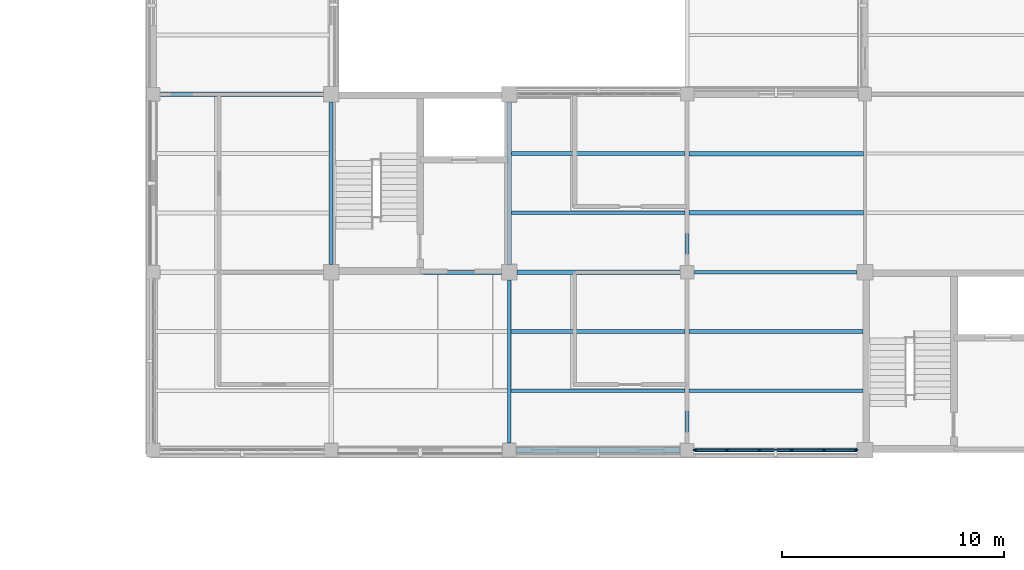
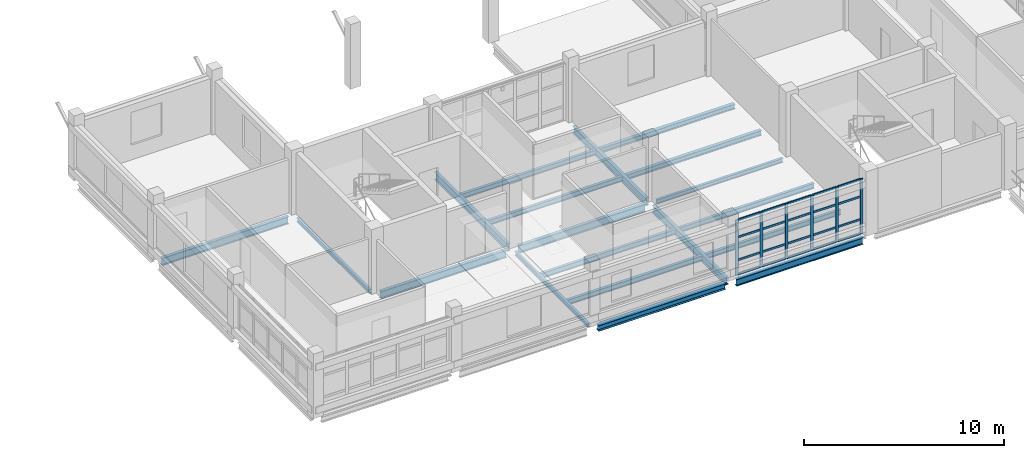
# One storey, part 11 of 35: 26 members, 19 beams, 1 element without a shape of its own.
"""IFC4 building model written with IfcOpenShell, lengths in metres."""

from ifc_helpers import new_model, si_unit, derived_unit, direction, frame, origin, origin_2d, place, context, subcontext, project, spatial, rectangle, i_section, extrude, material, layer, layer_set, material_profile, profile_set, type_object, element, aggregate, save


model = new_model("IFC4")

# Units and contexts
model_context = context("Model", 3, precision=1e-05, world=origin(), true_north=direction((0.0, 1.0)))
body_context = subcontext(model_context, "Body", "Model", "MODEL_VIEW")
ifc_project = project(units=[si_unit("LENGTHUNIT", "METRE"), si_unit("AREAUNIT", "SQUARE_METRE"), si_unit("VOLUMEUNIT", "CUBIC_METRE"), si_unit("PLANEANGLEUNIT", "RADIAN"), si_unit("MASSUNIT", "GRAM", prefix="KILO"), derived_unit("THERMALTRANSMITTANCEUNIT", [(si_unit("MASSUNIT", "GRAM", prefix="KILO"), 1), (si_unit("TIMEUNIT", "SECOND"), -3), (si_unit("THERMODYNAMICTEMPERATUREUNIT", "KELVIN"), -1)])], contexts=[model_context])

# Site, building, storey
site_placement = place(None, origin())
site = spatial("IfcSite", under=ifc_project, at=site_placement, CompositionType="ELEMENT")
building_placement = place(site_placement, origin())
building = spatial("IfcBuilding", under=site, at=building_placement, Name="Veyamyaing Civic Hall", CompositionType="ELEMENT")
storey_placement = place(building_placement, frame((0.0, 0.0, 21.780029296875)))
storey = spatial("IfcBuildingStorey", under=building, at=storey_placement, Name="L05", CompositionType="ELEMENT", Elevation=21.780029296875)

# Beams
ifc_material_1 = material(Name="Steel ASTM A992", Category="steel")
ifc_material_profile_1 = material_profile(ifc_material_1, i_section(OverallWidth=0.19189453125, OverallDepth=0.462890625, WebThickness=0.010498046875, FlangeThickness=0.017578125, FilletRadius=0.010009765625, at=origin_2d()), Name="W460X89")
ifc_profile_set_1 = profile_set([ifc_material_profile_1], Name="Steel ASTM A992")
beam_type_1 = type_object("IfcBeamType", Name="B-08", PredefinedType="BEAM", material=ifc_profile_set_1)
beam_1_placement = place(storey_placement, frame((144.0, 96.35009765625, -0.45654296875), z_axis=(0.0, 1.0, 0.0), x_axis=(-1.0, 0.0, 0.0)))
element("IfcBeam", 1, at=beam_1_placement, inside=storey, type_object=beam_type_1, Name="Girder B-08 L05 Grid 19 N-P", PredefinedType="BEAM", context=body_context, shape_type="SweptSolid", body=[
    extrude(i_section(OverallWidth=0.19189453125, OverallDepth=0.462890625, WebThickness=0.010498046875, FlangeThickness=0.017578125, FilletRadius=0.010009765625, at=origin_2d()), origin(), (0.0, 0.0, 1.0), 7.2998046875),
])
beam_2_placement = place(storey_placement, frame((152.0, 88.324951171875, -0.45654296875), z_axis=(0.0, 1.0, 0.0), x_axis=(-1.0, 0.0, 0.0)))
element("IfcBeam", 2, at=beam_2_placement, inside=storey, type_object=beam_type_1, Name="Girder B-08 L05 Grid 20 M-N", PredefinedType="BEAM", context=body_context, shape_type="SweptSolid", body=[
    extrude(i_section(OverallWidth=0.19189453125, OverallDepth=0.462890625, WebThickness=0.010498046875, FlangeThickness=0.017578125, FilletRadius=0.010009765625, at=origin_2d()), origin(), (0.0, 0.0, 1.0), 7.35009765625),
])
ifc_material_profile_2 = material_profile(ifc_material_1, i_section(OverallWidth=0.18994140625, OverallDepth=0.45703125, WebThickness=0.009033203125, FlangeThickness=0.014404296875, FilletRadius=0.010009765625, at=origin_2d()), Name="W460X74")
ifc_profile_set_2 = profile_set([ifc_material_profile_2], Name="Steel ASTM A992")
beam_type_2 = type_object("IfcBeamType", Name="B-09", PredefinedType="BEAM", material=ifc_profile_set_2)
beam_3_placement = place(storey_placement, frame((136.35009765625, 96.0, -0.45361328125), z_axis=(1.0, 0.0, 0.0), x_axis=(0.0, 1.0, 0.0)))
element("IfcBeam", 3, at=beam_3_placement, inside=storey, type_object=beam_type_2, Name="Girder B-09 L05 Grid N 18-19", PredefinedType="BEAM", context=body_context, shape_type="SweptSolid", body=[
    extrude(i_section(OverallWidth=0.18994140625, OverallDepth=0.45703125, WebThickness=0.009033203125, FlangeThickness=0.014404296875, FilletRadius=0.010009765625, at=origin_2d()), origin(), (0.0, 0.0, 1.0), 7.2998046875),
])
beam_4_placement = place(storey_placement, frame((128.324951171875, 104.0, -0.45361328125), z_axis=(1.0, 0.0, 0.0), x_axis=(0.0, 1.0, 0.0)))
element("IfcBeam", 4, at=beam_4_placement, inside=storey, type_object=beam_type_2, Name="Girder B-09 L05 Grid P 17-18", PredefinedType="BEAM", context=body_context, shape_type="SweptSolid", body=[
    extrude(i_section(OverallWidth=0.18994140625, OverallDepth=0.45703125, WebThickness=0.009033203125, FlangeThickness=0.014404296875, FilletRadius=0.010009765625, at=origin_2d()), origin(), (0.0, 0.0, 1.0), 7.324951171875),
])
beam_5_placement = place(storey_placement, frame((152.0, 96.324951171875, -0.45361328125), z_axis=(0.0, 1.0, 0.0), x_axis=(-1.0, 0.0, 0.0)))
element("IfcBeam", 5, at=beam_5_placement, inside=storey, type_object=beam_type_2, Name="Girder B-09 L05 Grid 20 N-P", PredefinedType="BEAM", context=body_context, shape_type="SweptSolid", body=[
    extrude(i_section(OverallWidth=0.18994140625, OverallDepth=0.45703125, WebThickness=0.009033203125, FlangeThickness=0.014404296875, FilletRadius=0.010009765625, at=origin_2d()), origin(), (0.0, 0.0, 1.0), 7.35009765625),
])
ifc_material_profile_3 = material_profile(ifc_material_1, i_section(OverallWidth=0.179931640625, OverallDepth=0.4130859375, WebThickness=0.009765625, FlangeThickness=0.01611328125, FilletRadius=0.010009765625, at=origin_2d()), Name="W410X74")
ifc_profile_set_3 = profile_set([ifc_material_profile_3], Name="Steel ASTM A992")
beam_type_3 = type_object("IfcBeamType", Name="B-10", PredefinedType="SPANDREL", material=ifc_profile_set_3)
beam_6_placement = place(storey_placement, frame((152.324951171875, 88.0, -0.431640625), z_axis=(1.0, 0.0, 0.0), x_axis=(0.0, 1.0, 0.0)))
element("IfcBeam", 6, at=beam_6_placement, inside=storey, type_object=beam_type_3, Name="Girder B-10 L05 Grid M 20-21", PredefinedType="SPANDREL", context=body_context, shape_type="SweptSolid", body=[
    extrude(i_section(OverallWidth=0.179931640625, OverallDepth=0.4130859375, WebThickness=0.009765625, FlangeThickness=0.01611328125, FilletRadius=0.010009765625, at=origin_2d()), origin(), (0.0, 0.0, 1.0), 7.324951171875),
])
ifc_material_profile_4 = material_profile(ifc_material_1, i_section(OverallWidth=0.14599609375, OverallDepth=0.258056640625, WebThickness=0.006103515625, FlangeThickness=0.009033203125, FilletRadius=0.010009765625, at=origin_2d()), Name="W250X33")
ifc_profile_set_4 = profile_set([ifc_material_profile_4], Name="Steel ASTM A992")
beam_type_4 = type_object("IfcBeamType", Name="B-12", PredefinedType="BEAM", material=ifc_profile_set_4)
beam_7_placement = place(storey_placement, frame((152.324951171875, 96.0, -0.35400390625), z_axis=(1.0, 0.0, 0.0), x_axis=(0.0, 1.0, 0.0)))
element("IfcBeam", 7, at=beam_7_placement, inside=storey, type_object=beam_type_4, Name="Girder B-12 L05 Grid N 20-21", PredefinedType="BEAM", context=body_context, shape_type="SweptSolid", body=[
    extrude(i_section(OverallWidth=0.14599609375, OverallDepth=0.258056640625, WebThickness=0.006103515625, FlangeThickness=0.009033203125, FilletRadius=0.010009765625, at=origin_2d()), origin(), (0.0, 0.0, 1.0), 7.324951171875),
])
beam_8_placement = place(storey_placement, frame((136.0, 96.35009765625, -0.35400390625), z_axis=(0.0, 1.0, 0.0), x_axis=(-1.0, 0.0, 0.0)))
element("IfcBeam", 8, at=beam_8_placement, inside=storey, type_object=beam_type_4, Name="Girder B-12 L05 Grid 18 N-P", PredefinedType="BEAM", context=body_context, shape_type="SweptSolid", body=[
    extrude(i_section(OverallWidth=0.14599609375, OverallDepth=0.258056640625, WebThickness=0.006103515625, FlangeThickness=0.009033203125, FilletRadius=0.010009765625, at=origin_2d()), origin(), (0.0, 0.0, 1.0), 7.2998046875),
])
beam_9_placement = place(storey_placement, frame((144.0, 88.324951171875, -0.35400390625), z_axis=(0.0, 1.0, 0.0), x_axis=(-1.0, 0.0, 0.0)))
element("IfcBeam", 9, at=beam_9_placement, inside=storey, type_object=beam_type_4, Name="Girder B-12 L05 Grid 19 M-N", PredefinedType="BEAM", context=body_context, shape_type="SweptSolid", body=[
    extrude(i_section(OverallWidth=0.14599609375, OverallDepth=0.258056640625, WebThickness=0.006103515625, FlangeThickness=0.009033203125, FilletRadius=0.010009765625, at=origin_2d()), origin(), (0.0, 0.0, 1.0), 7.324951171875),
])
ifc_material_profile_5 = material_profile(ifc_material_1, i_section(OverallWidth=0.194091796875, OverallDepth=0.468994140625, WebThickness=0.0126953125, FlangeThickness=0.0205078125, FilletRadius=0.010009765625, at=origin_2d()), Name="W460X106")
ifc_profile_set_5 = profile_set([ifc_material_profile_5], Name="Steel ASTM A992")
beam_type_5 = type_object("IfcBeamType", Name="B-18", PredefinedType="BEAM", material=ifc_profile_set_5)
beam_10_placement = place(storey_placement, frame((144.35009765625, 96.0, -0.45947265625), z_axis=(1.0, 0.0, 0.0), x_axis=(0.0, 1.0, 0.0)))
element("IfcBeam", 10, at=beam_10_placement, inside=storey, type_object=beam_type_5, Name="Girder B-18 L05 Grid N 19-20", PredefinedType="BEAM", context=body_context, shape_type="SweptSolid", body=[
    extrude(i_section(OverallWidth=0.194091796875, OverallDepth=0.468994140625, WebThickness=0.0126953125, FlangeThickness=0.0205078125, FilletRadius=0.010009765625, at=origin_2d()), origin(), (0.0, 0.0, 1.0), 7.324951171875),
])
ifc_material_profile_6 = material_profile(ifc_material_1, i_section(OverallWidth=0.25390625, OverallDepth=0.35302734375, WebThickness=0.009521484375, FlangeThickness=0.016357421875, FilletRadius=0.011962890625, at=origin_2d()), Name="W360X91")
ifc_profile_set_6 = profile_set([ifc_material_profile_6], Name="Steel ASTM A992")
beam_type_6 = type_object("IfcBeamType", Name="B-20", PredefinedType="SPANDREL", material=ifc_profile_set_6)
beam_11_placement = place(storey_placement, frame((144.324951171875, 88.0, -0.401611328125), z_axis=(1.0, 0.0, 0.0), x_axis=(0.0, 1.0, 0.0)))
element("IfcBeam", 11, at=beam_11_placement, inside=storey, type_object=beam_type_6, Name="Girder B-20 L05 Grid M 19-20", PredefinedType="SPANDREL", context=body_context, shape_type="SweptSolid", body=[
    extrude(i_section(OverallWidth=0.25390625, OverallDepth=0.35302734375, WebThickness=0.009521484375, FlangeThickness=0.016357421875, FilletRadius=0.011962890625, at=origin_2d()), origin(), (0.0, 0.0, 1.0), 7.35009765625),
])

# Curtain wall, members
ifc_material_2 = material(Name="Anodised aluminium 6063-T6", Category="aluminium")
ifc_layer = layer(ifc_material_2, 0.159912109375, Name="Anodised aluminium 6063-T6")
ifc_layer_set = layer_set([ifc_layer], Name="Anodised aluminium 6063-T6")
curtain_wall_type = type_object("IfcCurtainWallType", Name="CW-09", PredefinedType="NOTDEFINED", material=ifc_layer_set)
curtain_wall_placement = place(storey_placement, origin())
curtain_wall = element("IfcCurtainWall", 12, at=curtain_wall_placement, inside=storey, type_object=curtain_wall_type, Name="Unitized curtain wall CW-09 L05 S 20.12", PredefinedType="NOTDEFINED")
ifc_material_profile_7 = material_profile(ifc_material_2, rectangle(XDim=0.06494140625, YDim=0.159912109375, at=origin_2d()), Name="ALU-MUL-65X160")
ifc_profile_set_7 = profile_set([ifc_material_profile_7], Name="Anodised aluminium 6063-T6")
member_type_1 = type_object("IfcMemberType", Name="CWM-01", PredefinedType="MULLION", material=ifc_profile_set_7)
member_1_placement = place(storey_placement, frame((152.362548828125, 88.0, 0.0), z_axis=(0.0, 0.0, 1.0), x_axis=(0.0, 1.0, 0.0)))
member_1 = element("IfcMember", 13, at=member_1_placement, type_object=member_type_1, Name="CW-09 mullion 1", PredefinedType="MULLION", context=body_context, shape_type="SweptSolid", body=[
    extrude(rectangle(XDim=0.06494140625, YDim=0.159912109375, at=origin_2d()), origin(), (0.0, 0.0, 1.0), 3.3720703125),
])
member_2_placement = place(storey_placement, frame((153.7880859375, 88.0, 0.0), z_axis=(0.0, 0.0, 1.0), x_axis=(0.0, 1.0, 0.0)))
member_2 = element("IfcMember", 14, at=member_2_placement, type_object=member_type_1, Name="CW-09 mullion 2", PredefinedType="MULLION", context=body_context, shape_type="SweptSolid", body=[
    extrude(rectangle(XDim=0.06494140625, YDim=0.159912109375, at=origin_2d()), origin(), (0.0, 0.0, 1.0), 3.3720703125),
])
member_3_placement = place(storey_placement, frame((155.24609375, 88.0, 0.0), z_axis=(0.0, 0.0, 1.0), x_axis=(0.0, 1.0, 0.0)))
member_3 = element("IfcMember", 15, at=member_3_placement, type_object=member_type_1, Name="CW-09 mullion 3", PredefinedType="MULLION", context=body_context, shape_type="SweptSolid", body=[
    extrude(rectangle(XDim=0.06494140625, YDim=0.159912109375, at=origin_2d()), origin(), (0.0, 0.0, 1.0), 3.3720703125),
])
member_4_placement = place(storey_placement, frame((156.7041015625, 88.0, 0.0), z_axis=(0.0, 0.0, 1.0), x_axis=(0.0, 1.0, 0.0)))
member_4 = element("IfcMember", 16, at=member_4_placement, type_object=member_type_1, Name="CW-09 mullion 4", PredefinedType="MULLION", context=body_context, shape_type="SweptSolid", body=[
    extrude(rectangle(XDim=0.06494140625, YDim=0.159912109375, at=origin_2d()), origin(), (0.0, 0.0, 1.0), 3.3720703125),
])
member_5_placement = place(storey_placement, frame((158.162109375, 88.0, 0.0), z_axis=(0.0, 0.0, 1.0), x_axis=(0.0, 1.0, 0.0)))
member_5 = element("IfcMember", 17, at=member_5_placement, type_object=member_type_1, Name="CW-09 mullion 5", PredefinedType="MULLION", context=body_context, shape_type="SweptSolid", body=[
    extrude(rectangle(XDim=0.06494140625, YDim=0.159912109375, at=origin_2d()), origin(), (0.0, 0.0, 1.0), 3.3720703125),
])
member_6_placement = place(storey_placement, frame((159.58740234375, 88.0, 0.0), z_axis=(0.0, 0.0, 1.0), x_axis=(0.0, 1.0, 0.0)))
member_6 = element("IfcMember", 18, at=member_6_placement, type_object=member_type_1, Name="CW-09 mullion 6", PredefinedType="MULLION", context=body_context, shape_type="SweptSolid", body=[
    extrude(rectangle(XDim=0.06494140625, YDim=0.159912109375, at=origin_2d()), origin(), (0.0, 0.0, 1.0), 3.3720703125),
])
ifc_material_profile_8 = material_profile(ifc_material_2, rectangle(XDim=0.06494140625, YDim=0.1201171875, at=origin_2d()), Name="ALU-TRN-65X120")
ifc_profile_set_8 = profile_set([ifc_material_profile_8], Name="Anodised aluminium 6063-T6")
member_type_2 = type_object("IfcMemberType", Name="CWT-01", PredefinedType="USERDEFINED", material=ifc_profile_set_8)
member_7_placement = place(storey_placement, frame((152.39501953125, 88.0, 0.032470703125), z_axis=(1.0, 0.0, 0.0), x_axis=(0.0, 1.0, 0.0)))
member_7 = element("IfcMember", 19, at=member_7_placement, type_object=member_type_2, Name="CW-09 transom 1.1", ObjectType="TRANSOM", PredefinedType="USERDEFINED", context=body_context, shape_type="SweptSolid", body=[
    extrude(rectangle(XDim=0.06494140625, YDim=0.1201171875, at=origin_2d()), origin(), (0.0, 0.0, 1.0), 1.360595703125),
])
member_8_placement = place(storey_placement, frame((152.39501953125, 88.0, 0.89990234375), z_axis=(1.0, 0.0, 0.0), x_axis=(0.0, 1.0, 0.0)))
member_8 = element("IfcMember", 20, at=member_8_placement, type_object=member_type_2, Name="CW-09 transom 1.2", ObjectType="TRANSOM", PredefinedType="USERDEFINED", context=body_context, shape_type="SweptSolid", body=[
    extrude(rectangle(XDim=0.06494140625, YDim=0.1201171875, at=origin_2d()), origin(), (0.0, 0.0, 1.0), 1.360595703125),
])
member_9_placement = place(storey_placement, frame((152.39501953125, 88.0, 2.29296875), z_axis=(1.0, 0.0, 0.0), x_axis=(0.0, 1.0, 0.0)))
member_9 = element("IfcMember", 21, at=member_9_placement, type_object=member_type_2, Name="CW-09 transom 1.3", ObjectType="TRANSOM", PredefinedType="USERDEFINED", context=body_context, shape_type="SweptSolid", body=[
    extrude(rectangle(XDim=0.06494140625, YDim=0.1201171875, at=origin_2d()), origin(), (0.0, 0.0, 1.0), 1.360595703125),
])
member_10_placement = place(storey_placement, frame((152.39501953125, 88.0, 3.33935546875), z_axis=(1.0, 0.0, 0.0), x_axis=(0.0, 1.0, 0.0)))
member_10 = element("IfcMember", 22, at=member_10_placement, type_object=member_type_2, Name="CW-09 transom 1.4", ObjectType="TRANSOM", PredefinedType="USERDEFINED", context=body_context, shape_type="SweptSolid", body=[
    extrude(rectangle(XDim=0.06494140625, YDim=0.1201171875, at=origin_2d()), origin(), (0.0, 0.0, 1.0), 1.360595703125),
])
member_11_placement = place(storey_placement, frame((153.820556640625, 88.0, 0.032470703125), z_axis=(1.0, 0.0, 0.0), x_axis=(0.0, 1.0, 0.0)))
member_11 = element("IfcMember", 23, at=member_11_placement, type_object=member_type_2, Name="CW-09 transom 2.1", ObjectType="TRANSOM", PredefinedType="USERDEFINED", context=body_context, shape_type="SweptSolid", body=[
    extrude(rectangle(XDim=0.06494140625, YDim=0.1201171875, at=origin_2d()), origin(), (0.0, 0.0, 1.0), 1.392822265625),
])
member_12_placement = place(storey_placement, frame((153.820556640625, 88.0, 0.89990234375), z_axis=(1.0, 0.0, 0.0), x_axis=(0.0, 1.0, 0.0)))
member_12 = element("IfcMember", 24, at=member_12_placement, type_object=member_type_2, Name="CW-09 transom 2.2", ObjectType="TRANSOM", PredefinedType="USERDEFINED", context=body_context, shape_type="SweptSolid", body=[
    extrude(rectangle(XDim=0.06494140625, YDim=0.1201171875, at=origin_2d()), origin(), (0.0, 0.0, 1.0), 1.392822265625),
])
member_13_placement = place(storey_placement, frame((153.820556640625, 88.0, 2.29296875), z_axis=(1.0, 0.0, 0.0), x_axis=(0.0, 1.0, 0.0)))
member_13 = element("IfcMember", 25, at=member_13_placement, type_object=member_type_2, Name="CW-09 transom 2.3", ObjectType="TRANSOM", PredefinedType="USERDEFINED", context=body_context, shape_type="SweptSolid", body=[
    extrude(rectangle(XDim=0.06494140625, YDim=0.1201171875, at=origin_2d()), origin(), (0.0, 0.0, 1.0), 1.392822265625),
])
member_14_placement = place(storey_placement, frame((153.820556640625, 88.0, 3.33935546875), z_axis=(1.0, 0.0, 0.0), x_axis=(0.0, 1.0, 0.0)))
member_14 = element("IfcMember", 26, at=member_14_placement, type_object=member_type_2, Name="CW-09 transom 2.4", ObjectType="TRANSOM", PredefinedType="USERDEFINED", context=body_context, shape_type="SweptSolid", body=[
    extrude(rectangle(XDim=0.06494140625, YDim=0.1201171875, at=origin_2d()), origin(), (0.0, 0.0, 1.0), 1.392822265625),
])
member_15_placement = place(storey_placement, frame((155.278564453125, 88.0, 0.032470703125), z_axis=(1.0, 0.0, 0.0), x_axis=(0.0, 1.0, 0.0)))
member_15 = element("IfcMember", 27, at=member_15_placement, type_object=member_type_2, Name="CW-09 transom 3.1", ObjectType="TRANSOM", PredefinedType="USERDEFINED", context=body_context, shape_type="SweptSolid", body=[
    extrude(rectangle(XDim=0.06494140625, YDim=0.1201171875, at=origin_2d()), origin(), (0.0, 0.0, 1.0), 1.392822265625),
])
member_16_placement = place(storey_placement, frame((155.278564453125, 88.0, 0.89990234375), z_axis=(1.0, 0.0, 0.0), x_axis=(0.0, 1.0, 0.0)))
member_16 = element("IfcMember", 28, at=member_16_placement, type_object=member_type_2, Name="CW-09 transom 3.2", ObjectType="TRANSOM", PredefinedType="USERDEFINED", context=body_context, shape_type="SweptSolid", body=[
    extrude(rectangle(XDim=0.06494140625, YDim=0.1201171875, at=origin_2d()), origin(), (0.0, 0.0, 1.0), 1.392822265625),
])
member_17_placement = place(storey_placement, frame((155.278564453125, 88.0, 2.29296875), z_axis=(1.0, 0.0, 0.0), x_axis=(0.0, 1.0, 0.0)))
member_17 = element("IfcMember", 29, at=member_17_placement, type_object=member_type_2, Name="CW-09 transom 3.3", ObjectType="TRANSOM", PredefinedType="USERDEFINED", context=body_context, shape_type="SweptSolid", body=[
    extrude(rectangle(XDim=0.06494140625, YDim=0.1201171875, at=origin_2d()), origin(), (0.0, 0.0, 1.0), 1.392822265625),
])
member_18_placement = place(storey_placement, frame((155.278564453125, 88.0, 3.33935546875), z_axis=(1.0, 0.0, 0.0), x_axis=(0.0, 1.0, 0.0)))
member_18 = element("IfcMember", 30, at=member_18_placement, type_object=member_type_2, Name="CW-09 transom 3.4", ObjectType="TRANSOM", PredefinedType="USERDEFINED", context=body_context, shape_type="SweptSolid", body=[
    extrude(rectangle(XDim=0.06494140625, YDim=0.1201171875, at=origin_2d()), origin(), (0.0, 0.0, 1.0), 1.392822265625),
])
member_19_placement = place(storey_placement, frame((156.736572265625, 88.0, 0.032470703125), z_axis=(1.0, 0.0, 0.0), x_axis=(0.0, 1.0, 0.0)))
member_19 = element("IfcMember", 31, at=member_19_placement, type_object=member_type_2, Name="CW-09 transom 4.1", ObjectType="TRANSOM", PredefinedType="USERDEFINED", context=body_context, shape_type="SweptSolid", body=[
    extrude(rectangle(XDim=0.06494140625, YDim=0.1201171875, at=origin_2d()), origin(), (0.0, 0.0, 1.0), 1.392822265625),
])
member_20_placement = place(storey_placement, frame((156.736572265625, 88.0, 0.89990234375), z_axis=(1.0, 0.0, 0.0), x_axis=(0.0, 1.0, 0.0)))
member_20 = element("IfcMember", 32, at=member_20_placement, type_object=member_type_2, Name="CW-09 transom 4.2", ObjectType="TRANSOM", PredefinedType="USERDEFINED", context=body_context, shape_type="SweptSolid", body=[
    extrude(rectangle(XDim=0.06494140625, YDim=0.1201171875, at=origin_2d()), origin(), (0.0, 0.0, 1.0), 1.392822265625),
])
member_21_placement = place(storey_placement, frame((156.736572265625, 88.0, 2.29296875), z_axis=(1.0, 0.0, 0.0), x_axis=(0.0, 1.0, 0.0)))
member_21 = element("IfcMember", 33, at=member_21_placement, type_object=member_type_2, Name="CW-09 transom 4.3", ObjectType="TRANSOM", PredefinedType="USERDEFINED", context=body_context, shape_type="SweptSolid", body=[
    extrude(rectangle(XDim=0.06494140625, YDim=0.1201171875, at=origin_2d()), origin(), (0.0, 0.0, 1.0), 1.392822265625),
])
member_22_placement = place(storey_placement, frame((156.736572265625, 88.0, 3.33935546875), z_axis=(1.0, 0.0, 0.0), x_axis=(0.0, 1.0, 0.0)))
member_22 = element("IfcMember", 34, at=member_22_placement, type_object=member_type_2, Name="CW-09 transom 4.4", ObjectType="TRANSOM", PredefinedType="USERDEFINED", context=body_context, shape_type="SweptSolid", body=[
    extrude(rectangle(XDim=0.06494140625, YDim=0.1201171875, at=origin_2d()), origin(), (0.0, 0.0, 1.0), 1.392822265625),
])
member_23_placement = place(storey_placement, frame((158.194580078125, 88.0, 0.032470703125), z_axis=(1.0, 0.0, 0.0), x_axis=(0.0, 1.0, 0.0)))
member_23 = element("IfcMember", 35, at=member_23_placement, type_object=member_type_2, Name="CW-09 transom 5.1", ObjectType="TRANSOM", PredefinedType="USERDEFINED", context=body_context, shape_type="SweptSolid", body=[
    extrude(rectangle(XDim=0.06494140625, YDim=0.1201171875, at=origin_2d()), origin(), (0.0, 0.0, 1.0), 1.3603515625),
])
member_24_placement = place(storey_placement, frame((158.194580078125, 88.0, 0.89990234375), z_axis=(1.0, 0.0, 0.0), x_axis=(0.0, 1.0, 0.0)))
member_24 = element("IfcMember", 36, at=member_24_placement, type_object=member_type_2, Name="CW-09 transom 5.2", ObjectType="TRANSOM", PredefinedType="USERDEFINED", context=body_context, shape_type="SweptSolid", body=[
    extrude(rectangle(XDim=0.06494140625, YDim=0.1201171875, at=origin_2d()), origin(), (0.0, 0.0, 1.0), 1.3603515625),
])
member_25_placement = place(storey_placement, frame((158.194580078125, 88.0, 2.29296875), z_axis=(1.0, 0.0, 0.0), x_axis=(0.0, 1.0, 0.0)))
member_25 = element("IfcMember", 37, at=member_25_placement, type_object=member_type_2, Name="CW-09 transom 5.3", ObjectType="TRANSOM", PredefinedType="USERDEFINED", context=body_context, shape_type="SweptSolid", body=[
    extrude(rectangle(XDim=0.06494140625, YDim=0.1201171875, at=origin_2d()), origin(), (0.0, 0.0, 1.0), 1.3603515625),
])
member_26_placement = place(storey_placement, frame((158.194580078125, 88.0, 3.33935546875), z_axis=(1.0, 0.0, 0.0), x_axis=(0.0, 1.0, 0.0)))
member_26 = element("IfcMember", 38, at=member_26_placement, type_object=member_type_2, Name="CW-09 transom 5.4", ObjectType="TRANSOM", PredefinedType="USERDEFINED", context=body_context, shape_type="SweptSolid", body=[
    extrude(rectangle(XDim=0.06494140625, YDim=0.1201171875, at=origin_2d()), origin(), (0.0, 0.0, 1.0), 1.3603515625),
])
aggregate(curtain_wall, [member_1, member_2, member_3, member_4, member_5, member_6, member_7, member_8, member_9, member_10, member_11, member_12, member_13, member_14, member_15, member_16, member_17, member_18, member_19, member_20, member_21, member_22, member_23, member_24, member_25, member_26])

# Beams
ifc_material_profile_9 = material_profile(ifc_material_1, i_section(OverallWidth=0.1669921875, OverallDepth=0.318115234375, WebThickness=0.007568359375, FlangeThickness=0.01318359375, FilletRadius=0.010009765625, at=origin_2d()), Name="W310X52")
ifc_profile_set_9 = profile_set([ifc_material_profile_9], Name="Steel ASTM A992")
beam_type_7 = type_object("IfcBeamType", Name="J-04", PredefinedType="JOIST", material=ifc_profile_set_9)
for number, where, z_axis, x_axis, name in (
    (39, (144.071044921875, 90.666748046875, -0.384033203125), (1.0, 0.0, 0.0), (0.0, 1.0, 0.0), "Composite floor joist J-04 L05 19.12.1"),
    (40, (144.071044921875, 93.333251953125, -0.384033203125), (1.0, 0.0, 0.0), (0.0, 1.0, 0.0), "Composite floor joist J-04 L05 19.12.2"),
):
    element("IfcBeam", number, at=place(storey_placement, frame(where, z_axis=z_axis, x_axis=x_axis)), inside=storey, type_object=beam_type_7, Name=name, PredefinedType="JOIST", context=body_context, shape_type="SweptSolid", body=[
        extrude(i_section(OverallWidth=0.1669921875, OverallDepth=0.318115234375, WebThickness=0.007568359375, FlangeThickness=0.01318359375, FilletRadius=0.010009765625, at=origin_2d()), origin(), (0.0, 0.0, 1.0), 7.8349609375),
    ])
ifc_material_profile_10 = material_profile(ifc_material_1, i_section(OverallWidth=0.1650390625, OverallDepth=0.31005859375, WebThickness=0.005859375, FlangeThickness=0.009765625, FilletRadius=0.010009765625, at=origin_2d()), Name="W310X39")
ifc_profile_set_10 = profile_set([ifc_material_profile_10], Name="Steel ASTM A992")
beam_type_8 = type_object("IfcBeamType", Name="J-05", PredefinedType="JOIST", material=ifc_profile_set_10)
for number, where, z_axis, x_axis, name in (
    (41, (144.093994140625, 98.666748046875, -0.380126953125), (1.0, 0.0, 0.0), (0.0, 1.0, 0.0), "Composite floor joist J-05 L05 19.13.1"),
    (42, (144.093994140625, 101.333251953125, -0.380126953125), (1.0, 0.0, 0.0), (0.0, 1.0, 0.0), "Composite floor joist J-05 L05 19.13.2"),
    (43, (152.093994140625, 90.666748046875, -0.380126953125), (1.0, 0.0, 0.0), (0.0, 1.0, 0.0), "Composite floor joist J-05 L05 20.12.1"),
    (44, (152.093994140625, 93.333251953125, -0.380126953125), (1.0, 0.0, 0.0), (0.0, 1.0, 0.0), "Composite floor joist J-05 L05 20.12.2"),
):
    element("IfcBeam", number, at=place(storey_placement, frame(where, z_axis=z_axis, x_axis=x_axis)), inside=storey, type_object=beam_type_8, Name=name, PredefinedType="JOIST", context=body_context, shape_type="SweptSolid", body=[
        extrude(i_section(OverallWidth=0.1650390625, OverallDepth=0.31005859375, WebThickness=0.005859375, FlangeThickness=0.009765625, FilletRadius=0.010009765625, at=origin_2d()), origin(), (0.0, 0.0, 1.0), 7.81298828125),
    ])
ifc_material_profile_11 = material_profile(ifc_material_1, i_section(OverallWidth=0.2041015625, OverallDepth=0.305908203125, WebThickness=0.008544921875, FlangeThickness=0.0146484375, FilletRadius=0.010009765625, at=origin_2d()), Name="W310X67")
ifc_profile_set_11 = profile_set([ifc_material_profile_11], Name="Steel ASTM A992")
beam_type_9 = type_object("IfcBeamType", Name="J-06", PredefinedType="JOIST", material=ifc_profile_set_11)
for number, where, z_axis, x_axis, name in (
    (45, (152.093017578125, 98.666748046875, -0.3779296875), (1.0, 0.0, 0.0), (0.0, 1.0, 0.0), "Composite floor joist J-06 L05 20.13.1"),
    (46, (152.093017578125, 101.333251953125, -0.3779296875), (1.0, 0.0, 0.0), (0.0, 1.0, 0.0), "Composite floor joist J-06 L05 20.13.2"),
):
    element("IfcBeam", number, at=place(storey_placement, frame(where, z_axis=z_axis, x_axis=x_axis)), inside=storey, type_object=beam_type_9, Name=name, PredefinedType="JOIST", context=body_context, shape_type="SweptSolid", body=[
        extrude(i_section(OverallWidth=0.2041015625, OverallDepth=0.305908203125, WebThickness=0.008544921875, FlangeThickness=0.0146484375, FilletRadius=0.010009765625, at=origin_2d()), origin(), (0.0, 0.0, 1.0), 7.8359375),
    ])

save(model, "model.ifc")
